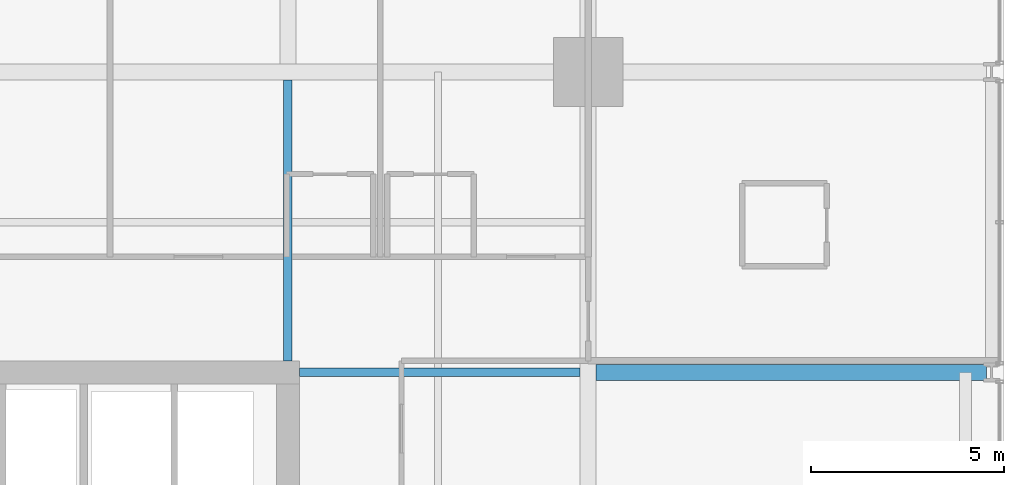
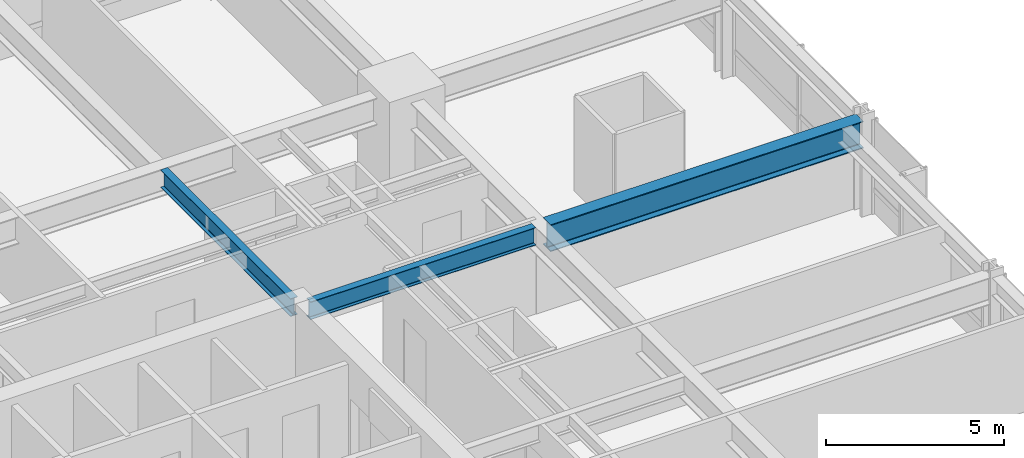
# One storey, part 24 of 38: 3 beams.
"""IFC4 building model written with IfcOpenShell, lengths in metres."""

from ifc_helpers import new_model, si_unit, direction, frame, origin, origin_2d, place, context, subcontext, project, spatial, i_section, extrude, material, material_profile, profile_set, type_object, element, save


model = new_model("IFC4")

# Units and contexts
model_context = context("Model", 3, precision=1e-05, world=origin(), true_north=direction((0.0, 1.0)))
body_context = subcontext(model_context, "Body", "Model", "MODEL_VIEW")
ifc_project = project(units=[si_unit("LENGTHUNIT", "METRE"), si_unit("AREAUNIT", "SQUARE_METRE"), si_unit("VOLUMEUNIT", "CUBIC_METRE"), si_unit("PLANEANGLEUNIT", "RADIAN"), si_unit("MASSUNIT", "GRAM", prefix="KILO")], contexts=[model_context])

# Site, building, storey
site_placement = place(None, origin())
site = spatial("IfcSite", under=ifc_project, at=site_placement, CompositionType="ELEMENT")
building_placement = place(site_placement, origin())
building = spatial("IfcBuilding", under=site, at=building_placement, Name="Drelvath Grand Hotel", CompositionType="ELEMENT")
storey_placement = place(building_placement, frame((0.0, 0.0, 57.699951171875)))
storey = spatial("IfcBuildingStorey", under=building, at=storey_placement, Name="L13", CompositionType="ELEMENT", Elevation=57.699951171875)

# Beams
ifc_material = material(Name="Steel ASTM A992 Gr 50", Category="steel")
ifc_material_profile_1 = material_profile(ifc_material, i_section(OverallWidth=0.228271484375, OverallDepth=0.607666015625, WebThickness=0.01123046875, FlangeThickness=0.017333984375, FilletRadius=0.02001953125, at=origin_2d()), Name="W24X76")
ifc_profile_set_1 = profile_set([ifc_material_profile_1], Name="Steel ASTM A992 Gr 50")
beam_type_1 = type_object("IfcBeamType", Name="Primary Floor Girder W24X76", PredefinedType="BEAM", material=ifc_profile_set_1)
for number, where, z_axis, x_axis, name in (
    (1, (8.699951171875, 35.39990234375, 2.936279296875), (1.0, 0.0, 0.0), (0.0, 1.0, 0.0), "L13 East Core Tie F"),
    (2, (8.39990234375, 35.699951171875, 2.936279296875), (0.0, 1.0, 0.0), (-1.0, 0.0, 0.0), "L13 North Core Tie 6"),
):
    element("IfcBeam", number, at=place(storey_placement, frame(where, z_axis=z_axis, x_axis=x_axis)), inside=storey, type_object=beam_type_1, Name=name, PredefinedType="BEAM", context=body_context, shape_type="SweptSolid", body=[
        extrude(i_section(OverallWidth=0.228271484375, OverallDepth=0.607666015625, WebThickness=0.01123046875, FlangeThickness=0.017333984375, FilletRadius=0.02001953125, at=origin_2d()), origin(), (0.0, 0.0, 1.0), 7.290771484375),
    ])
ifc_material_profile_2 = material_profile(ifc_material, i_section(OverallWidth=0.418212890625, OverallDepth=0.926513671875, WebThickness=0.019287109375, FlangeThickness=0.031982421875, FilletRadius=0.028076171875, at=origin_2d()), Name="W36X231")
ifc_profile_set_2 = profile_set([ifc_material_profile_2], Name="Steel ASTM A992 Gr 50")
beam_type_2 = type_object("IfcBeamType", Name="Primary Floor Girder W36X231", PredefinedType="BEAM", material=ifc_profile_set_2)
beam_placement = place(storey_placement, frame((16.4091796875, 35.39990234375, 2.77685546875), z_axis=(1.0, 0.0, 0.0), x_axis=(0.0, 1.0, 0.0)))
element("IfcBeam", 3, at=beam_placement, inside=storey, type_object=beam_type_2, Name="L13 East Wing Girder F", PredefinedType="BEAM", context=body_context, shape_type="SweptSolid", body=[
    extrude(i_section(OverallWidth=0.418212890625, OverallDepth=0.926513671875, WebThickness=0.019287109375, FlangeThickness=0.031982421875, FilletRadius=0.028076171875, at=origin_2d()), origin(), (0.0, 0.0, 1.0), 10.130859375),
])

save(model, "model.ifc")
